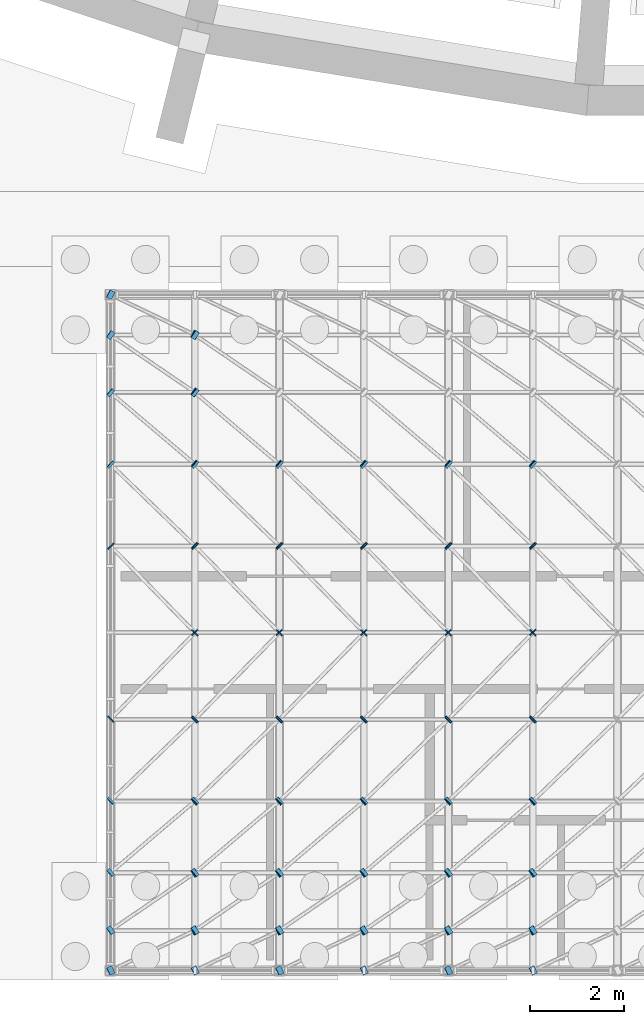
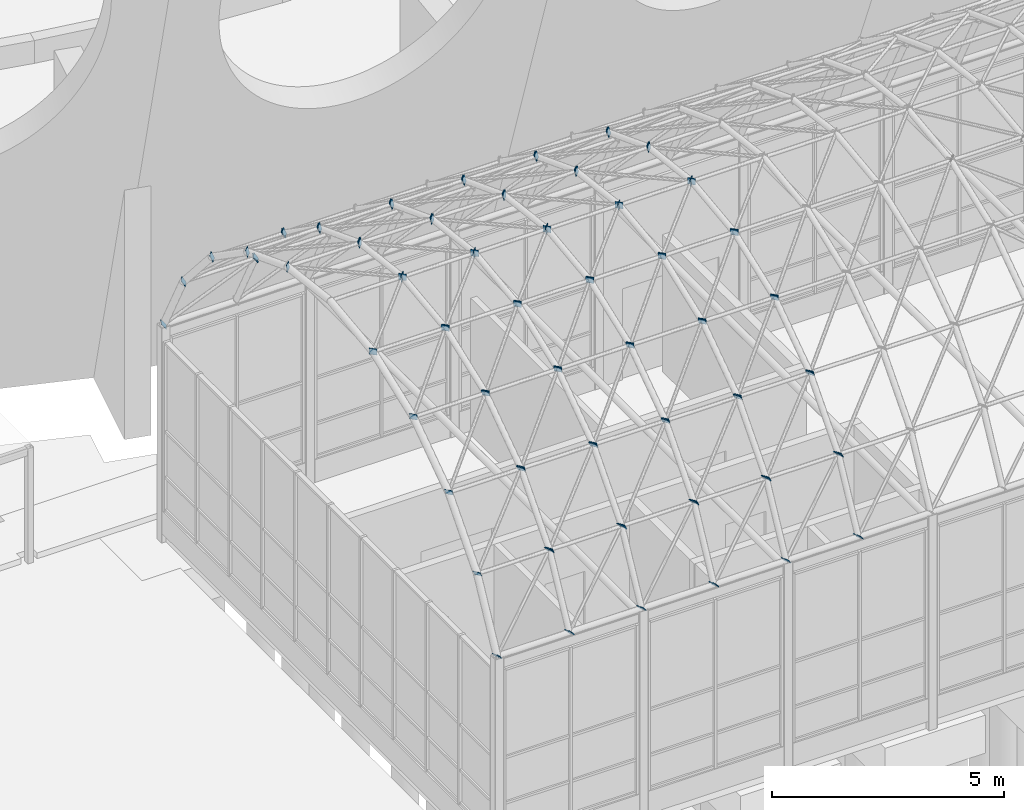
# One storey, part 100 of 116: 89 discrete accessories.
"""IFC4 building model written with IfcOpenShell, lengths in metres."""

from ifc_helpers import new_model, si_unit, direction, frame, origin, origin_2d, place, context, subcontext, project, spatial, rectangle, extrude, material, material_profile, profile_set, type_object, element, save


model = new_model("IFC4")

# Units and contexts
model_context = context("Model", 3, precision=1e-05, world=origin(), true_north=direction((0.0, 1.0)))
body_context = subcontext(model_context, "Body", "Model", "MODEL_VIEW")
ifc_project = project(units=[si_unit("LENGTHUNIT", "METRE"), si_unit("AREAUNIT", "SQUARE_METRE"), si_unit("VOLUMEUNIT", "CUBIC_METRE"), si_unit("PLANEANGLEUNIT", "RADIAN"), si_unit("MASSUNIT", "GRAM", prefix="KILO")], contexts=[model_context])

# Site, building, storey
site_placement = place(None, origin())
site = spatial("IfcSite", under=ifc_project, at=site_placement, CompositionType="ELEMENT")
building_placement = place(site_placement, origin())
building = spatial("IfcBuilding", under=site, at=building_placement, Name="Ardhachandra Cancer Care Centre", CompositionType="ELEMENT")
storey_placement = place(building_placement, origin())
storey = spatial("IfcBuildingStorey", under=building, at=storey_placement, Name="L00", CompositionType="ELEMENT", Elevation=0.0)

# Discrete accessories
ifc_material = material(Name="Steel E250 (IS 2062)", Category="steel")
ifc_material_profile = material_profile(ifc_material, rectangle(XDim=0.176025390625, YDim=0.176025390625, at=origin_2d()), Name="PL 176x176x12")
ifc_profile_set = profile_set([ifc_material_profile], Name="Steel E250 (IS 2062)")
discrete_accessory_type = type_object("IfcDiscreteAccessoryType", Name="Diagonal end plate 176 x 176 x 12", PredefinedType="BRACKET", material=ifc_profile_set)
for number, where, z_axis, x_axis, name in (
    (1, (63.60009765625, 7.199951171875, 5.39990234375), (0.688874763702, 0.324176359389, 0.648352718778), (-0.42579703633, 0.904818702201, 0.0), "Diagonal end plate Pavilion shell diagonal 00-00 1"),
    (2, (65.39990234375, 8.056396484375, 7.05224609375), (-0.697959218879, -0.328451397119, -0.636374581919), (0.42579703633, -0.904818702201, 0.0), "Diagonal end plate Pavilion shell diagonal 00-00 2"),
):
    element("IfcDiscreteAccessory", number, at=place(storey_placement, frame(where, z_axis=z_axis, x_axis=x_axis)), inside=storey, type_object=discrete_accessory_type, Name=name, PredefinedType="BRACKET", context=body_context, shape_type="SweptSolid", body=[
        extrude(rectangle(XDim=0.176025390625, YDim=0.176025390625, at=origin_2d()), origin(), (0.0, 0.0, 1.0), 0.011962890625),
    ])
discrete_accessory_1_placement = place(storey_placement, frame((63.60009765625, 8.056396484375, 7.05224609375), z_axis=(0.685366874707, 0.483788382146, 0.544261929915), x_axis=(-0.576683197599, 0.816967863265, 0.0)))
element("IfcDiscreteAccessory", 3, at=discrete_accessory_1_placement, inside=storey, type_object=discrete_accessory_type, Name="Diagonal end plate Pavilion shell diagonal 00-01 1", PredefinedType="BRACKET", context=body_context, shape_type="SweptSolid", body=[
    extrude(rectangle(XDim=0.176025390625, YDim=0.176025390625, at=origin_2d()), origin(), (0.0, 0.0, 1.0), 0.01220703125),
])
for number, where, z_axis, x_axis, name in (
    (4, (65.39990234375, 9.284912109375, 8.4501953125), (-0.692006675861, -0.468122163083, -0.549534713184), (0.560309367704, -0.828283413128, 0.0), "Diagonal end plate Pavilion shell diagonal 00-01 2"),
    (5, (63.60009765625, 9.284912109375, 8.4501953125), (0.694456264675, 0.592330343399, 0.408503685103), (-0.648946606083, 0.760833951959, 0.0), "Diagonal end plate Pavilion shell diagonal 00-02 1"),
    (6, (65.39990234375, 10.813720703125, 9.51171875), (-0.694456264675, -0.592330343399, -0.408503685103), (0.648946606083, -0.760833951959, 0.0), "Diagonal end plate Pavilion shell diagonal 00-02 2"),
    (7, (63.60009765625, 10.813720703125, 9.51171875), (0.692006675861, 0.671653538336, 0.264590787829), (-0.696475377169, 0.717580691628, 0.0), "Diagonal end plate Pavilion shell diagonal 00-03 1"),
    (8, (65.39990234375, 12.552734375, 10.174560546875), (-0.695618049284, -0.675158694893, -0.245512252688), (0.696475377169, -0.717580691628, 0.0), "Diagonal end plate Pavilion shell diagonal 00-03 2"),
    (9, (63.60009765625, 12.552734375, 10.174560546875), (0.693156189404, 0.713543136151, 0.101934733736), (-0.717279380859, 0.696785684263, 0.0), "Diagonal end plate Pavilion shell diagonal 00-04 1"),
    (10, (65.39990234375, 14.39990234375, 10.39990234375), (-0.694456264675, -0.71488144893, -0.081700737021), (0.717279380859, -0.696785684263, 0.0), "Diagonal end plate Pavilion shell diagonal 00-04 2"),
    (11, (65.39990234375, 14.39990234375, 10.39990234375), (-0.694456264675, 0.71488144893, -0.081700737021), (-0.717279380859, -0.696785684263, 0.0), "Diagonal end plate Pavilion shell diagonal 01-05 1"),
    (12, (63.60009765625, 16.247314453125, 10.174560546875), (0.693156189404, -0.713543136151, 0.101934733736), (0.717279380859, 0.696785684263, 0.0), "Diagonal end plate Pavilion shell diagonal 01-05 2"),
    (13, (65.39990234375, 16.247314453125, 10.174560546875), (-0.695618049284, 0.675158694893, -0.245512252688), (-0.696475377169, -0.717580691628, 0.0), "Diagonal end plate Pavilion shell diagonal 01-06 1"),
    (14, (63.60009765625, 17.986328125, 9.51171875), (0.692006675861, -0.671653538336, 0.264590787829), (0.696475377169, 0.717580691628, 0.0), "Diagonal end plate Pavilion shell diagonal 01-06 2"),
    (15, (65.39990234375, 17.986328125, 9.51171875), (-0.694456264675, 0.592330343399, -0.408503685103), (-0.648946606083, -0.760833951959, 0.0), "Diagonal end plate Pavilion shell diagonal 01-07 1"),
    (16, (63.60009765625, 19.514892578125, 8.4501953125), (0.694456264675, -0.592330343399, 0.408503685103), (0.648946606083, 0.760833951959, 0.0), "Diagonal end plate Pavilion shell diagonal 01-07 2"),
):
    element("IfcDiscreteAccessory", number, at=place(storey_placement, frame(where, z_axis=z_axis, x_axis=x_axis)), inside=storey, type_object=discrete_accessory_type, Name=name, PredefinedType="BRACKET", context=body_context, shape_type="SweptSolid", body=[
        extrude(rectangle(XDim=0.176025390625, YDim=0.176025390625, at=origin_2d()), origin(), (0.0, 0.0, 1.0), 0.011962890625),
    ])
for number, where, z_axis, x_axis, name in (
    (17, (65.39990234375, 19.514892578125, 8.4501953125), (-0.685366874707, 0.483788382146, -0.544261929915), (-0.576683197599, -0.816967863265, 0.0), "Diagonal end plate Pavilion shell diagonal 01-08 1"),
    (18, (63.60009765625, 20.74365234375, 7.05224609375), (0.685366874707, -0.483788382146, 0.544261929915), (0.576683197599, 0.816967863265, 0.0), "Diagonal end plate Pavilion shell diagonal 01-08 2"),
):
    element("IfcDiscreteAccessory", number, at=place(storey_placement, frame(where, z_axis=z_axis, x_axis=x_axis)), inside=storey, type_object=discrete_accessory_type, Name=name, PredefinedType="BRACKET", context=body_context, shape_type="SweptSolid", body=[
        extrude(rectangle(XDim=0.176025390625, YDim=0.176025390625, at=origin_2d()), origin(), (0.0, 0.0, 1.0), 0.01220703125),
    ])
discrete_accessory_2_placement = place(storey_placement, frame((65.39990234375, 20.74365234375, 7.05224609375), z_axis=(-0.697959218879, 0.328451397119, -0.636374581919), x_axis=(-0.42579703633, -0.904818702201, 0.0)))
element("IfcDiscreteAccessory", 19, at=discrete_accessory_2_placement, inside=storey, type_object=discrete_accessory_type, Name="Diagonal end plate Pavilion shell diagonal 01-09 1", PredefinedType="BRACKET", context=body_context, shape_type="SweptSolid", body=[
    extrude(rectangle(XDim=0.176025390625, YDim=0.176025390625, at=origin_2d()), origin(), (0.0, 0.0, 1.0), 0.011962890625),
])
for number, where, z_axis, x_axis, name in (
    (20, (63.60009765625, 21.60009765625, 5.39990234375), (0.684255618403, -0.342127809202, 0.644005287909), (0.4472135955, 0.894427191, 0.0), "Diagonal end plate Pavilion shell diagonal 01-09 2"),
    (21, (65.39990234375, 7.199951171875, 5.39990234375), (0.699301048253, 0.319680479201, 0.639360958403), (-0.415759760268, 0.909474475586, 0.0), "Diagonal end plate Pavilion shell diagonal 01-00 1"),
):
    element("IfcDiscreteAccessory", number, at=place(storey_placement, frame(where, z_axis=z_axis, x_axis=x_axis)), inside=storey, type_object=discrete_accessory_type, Name=name, PredefinedType="BRACKET", context=body_context, shape_type="SweptSolid", body=[
        extrude(rectangle(XDim=0.176025390625, YDim=0.176025390625, at=origin_2d()), origin(), (0.0, 0.0, 1.0), 0.01220703125),
    ])
discrete_accessory_3_placement = place(storey_placement, frame((67.199951171875, 8.056396484375, 7.05224609375), z_axis=(-0.697959218879, -0.328451397119, -0.636374581919), x_axis=(0.42579703633, -0.904818702201, 0.0)))
element("IfcDiscreteAccessory", 22, at=discrete_accessory_3_placement, inside=storey, type_object=discrete_accessory_type, Name="Diagonal end plate Pavilion shell diagonal 01-00 2", PredefinedType="BRACKET", context=body_context, shape_type="SweptSolid", body=[
    extrude(rectangle(XDim=0.176025390625, YDim=0.176025390625, at=origin_2d()), origin(), (0.0, 0.0, 1.0), 0.011962890625),
])
discrete_accessory_4_placement = place(storey_placement, frame((65.39990234375, 8.056396484375, 7.05224609375), z_axis=(0.695837425927, 0.477145663493, 0.536788871429), x_axis=(-0.565528355552, 0.824728851846, 0.0)))
element("IfcDiscreteAccessory", 23, at=discrete_accessory_4_placement, inside=storey, type_object=discrete_accessory_type, Name="Diagonal end plate Pavilion shell diagonal 01-01 1", PredefinedType="BRACKET", context=body_context, shape_type="SweptSolid", body=[
    extrude(rectangle(XDim=0.176025390625, YDim=0.176025390625, at=origin_2d()), origin(), (0.0, 0.0, 1.0), 0.01220703125),
])
discrete_accessory_5_placement = place(storey_placement, frame((67.199951171875, 9.284912109375, 8.4501953125), z_axis=(-0.692006675861, -0.468122163083, -0.549534713184), x_axis=(0.560309367704, -0.828283413128, 0.0)))
element("IfcDiscreteAccessory", 24, at=discrete_accessory_5_placement, inside=storey, type_object=discrete_accessory_type, Name="Diagonal end plate Pavilion shell diagonal 01-01 2", PredefinedType="BRACKET", context=body_context, shape_type="SweptSolid", body=[
    extrude(rectangle(XDim=0.176025390625, YDim=0.176025390625, at=origin_2d()), origin(), (0.0, 0.0, 1.0), 0.011962890625),
])
discrete_accessory_6_placement = place(storey_placement, frame((65.39990234375, 9.284912109375, 8.4501953125), z_axis=(0.704809108885, 0.583984690219, 0.40274806222), x_axis=(-0.63801786475, 0.770021560906, 0.0)))
element("IfcDiscreteAccessory", 25, at=discrete_accessory_6_placement, inside=storey, type_object=discrete_accessory_type, Name="Diagonal end plate Pavilion shell diagonal 01-02 1", PredefinedType="BRACKET", context=body_context, shape_type="SweptSolid", body=[
    extrude(rectangle(XDim=0.176025390625, YDim=0.176025390625, at=origin_2d()), origin(), (0.0, 0.0, 1.0), 0.01220703125),
])
discrete_accessory_7_placement = place(storey_placement, frame((67.199951171875, 10.813720703125, 9.51171875), z_axis=(-0.694456264675, -0.592330343399, -0.408503685103), x_axis=(0.648946606083, -0.760833951959, 0.0)))
element("IfcDiscreteAccessory", 26, at=discrete_accessory_7_placement, inside=storey, type_object=discrete_accessory_type, Name="Diagonal end plate Pavilion shell diagonal 01-02 2", PredefinedType="BRACKET", context=body_context, shape_type="SweptSolid", body=[
    extrude(rectangle(XDim=0.176025390625, YDim=0.176025390625, at=origin_2d()), origin(), (0.0, 0.0, 1.0), 0.011962890625),
])
discrete_accessory_8_placement = place(storey_placement, frame((65.39990234375, 10.813720703125, 9.51171875), z_axis=(0.702392207194, 0.66225550964, 0.260888534101), x_axis=(-0.686012868689, 0.727589406185, 0.0)))
element("IfcDiscreteAccessory", 27, at=discrete_accessory_8_placement, inside=storey, type_object=discrete_accessory_type, Name="Diagonal end plate Pavilion shell diagonal 01-03 1", PredefinedType="BRACKET", context=body_context, shape_type="SweptSolid", body=[
    extrude(rectangle(XDim=0.176025390625, YDim=0.176025390625, at=origin_2d()), origin(), (0.0, 0.0, 1.0), 0.01220703125),
])
discrete_accessory_9_placement = place(storey_placement, frame((67.199951171875, 12.552734375, 10.174560546875), z_axis=(-0.695618049284, -0.675158694893, -0.245512252688), x_axis=(0.696475377169, -0.717580691628, 0.0)))
element("IfcDiscreteAccessory", 28, at=discrete_accessory_9_placement, inside=storey, type_object=discrete_accessory_type, Name="Diagonal end plate Pavilion shell diagonal 01-03 2", PredefinedType="BRACKET", context=body_context, shape_type="SweptSolid", body=[
    extrude(rectangle(XDim=0.176025390625, YDim=0.176025390625, at=origin_2d()), origin(), (0.0, 0.0, 1.0), 0.011962890625),
])
discrete_accessory_10_placement = place(storey_placement, frame((65.39990234375, 12.552734375, 10.174560546875), z_axis=(0.703526470681, 0.703526470681, 0.100503781526), x_axis=(-0.707106781187, 0.707106781187, 0.0)))
element("IfcDiscreteAccessory", 29, at=discrete_accessory_10_placement, inside=storey, type_object=discrete_accessory_type, Name="Diagonal end plate Pavilion shell diagonal 01-04 1", PredefinedType="BRACKET", context=body_context, shape_type="SweptSolid", body=[
    extrude(rectangle(XDim=0.176025390625, YDim=0.176025390625, at=origin_2d()), origin(), (0.0, 0.0, 1.0), 0.01220703125),
])
for number, where, z_axis, x_axis, name in (
    (30, (67.199951171875, 14.39990234375, 10.39990234375), (-0.694456264675, -0.71488144893, -0.081700737021), (0.717279380859, -0.696785684263, 0.0), "Diagonal end plate Pavilion shell diagonal 01-04 2"),
    (31, (67.199951171875, 14.39990234375, 10.39990234375), (-0.694456264675, 0.71488144893, -0.081700737021), (-0.717279380859, -0.696785684263, 0.0), "Diagonal end plate Pavilion shell diagonal 02-05 1"),
):
    element("IfcDiscreteAccessory", number, at=place(storey_placement, frame(where, z_axis=z_axis, x_axis=x_axis)), inside=storey, type_object=discrete_accessory_type, Name=name, PredefinedType="BRACKET", context=body_context, shape_type="SweptSolid", body=[
        extrude(rectangle(XDim=0.176025390625, YDim=0.176025390625, at=origin_2d()), origin(), (0.0, 0.0, 1.0), 0.011962890625),
    ])
discrete_accessory_11_placement = place(storey_placement, frame((65.39990234375, 16.247314453125, 10.174560546875), z_axis=(0.703526470681, -0.703526470681, 0.100503781526), x_axis=(0.707106781187, 0.707106781187, 0.0)))
element("IfcDiscreteAccessory", 32, at=discrete_accessory_11_placement, inside=storey, type_object=discrete_accessory_type, Name="Diagonal end plate Pavilion shell diagonal 02-05 2", PredefinedType="BRACKET", context=body_context, shape_type="SweptSolid", body=[
    extrude(rectangle(XDim=0.176025390625, YDim=0.176025390625, at=origin_2d()), origin(), (0.0, 0.0, 1.0), 0.01220703125),
])
discrete_accessory_12_placement = place(storey_placement, frame((67.199951171875, 16.247314453125, 10.174560546875), z_axis=(-0.695618049284, 0.675158694893, -0.245512252688), x_axis=(-0.696475377169, -0.717580691628, 0.0)))
element("IfcDiscreteAccessory", 33, at=discrete_accessory_12_placement, inside=storey, type_object=discrete_accessory_type, Name="Diagonal end plate Pavilion shell diagonal 02-06 1", PredefinedType="BRACKET", context=body_context, shape_type="SweptSolid", body=[
    extrude(rectangle(XDim=0.176025390625, YDim=0.176025390625, at=origin_2d()), origin(), (0.0, 0.0, 1.0), 0.011962890625),
])
discrete_accessory_13_placement = place(storey_placement, frame((65.39990234375, 17.986328125, 9.51171875), z_axis=(0.702392207194, -0.66225550964, 0.260888534101), x_axis=(0.686012868689, 0.727589406185, 0.0)))
element("IfcDiscreteAccessory", 34, at=discrete_accessory_13_placement, inside=storey, type_object=discrete_accessory_type, Name="Diagonal end plate Pavilion shell diagonal 02-06 2", PredefinedType="BRACKET", context=body_context, shape_type="SweptSolid", body=[
    extrude(rectangle(XDim=0.176025390625, YDim=0.176025390625, at=origin_2d()), origin(), (0.0, 0.0, 1.0), 0.01220703125),
])
discrete_accessory_14_placement = place(storey_placement, frame((67.199951171875, 17.986328125, 9.51171875), z_axis=(-0.694456264675, 0.592330343399, -0.408503685103), x_axis=(-0.648946606083, -0.760833951959, 0.0)))
element("IfcDiscreteAccessory", 35, at=discrete_accessory_14_placement, inside=storey, type_object=discrete_accessory_type, Name="Diagonal end plate Pavilion shell diagonal 02-07 1", PredefinedType="BRACKET", context=body_context, shape_type="SweptSolid", body=[
    extrude(rectangle(XDim=0.176025390625, YDim=0.176025390625, at=origin_2d()), origin(), (0.0, 0.0, 1.0), 0.011962890625),
])
for number, where, z_axis, x_axis, name in (
    (36, (65.39990234375, 19.514892578125, 8.4501953125), (0.704809108885, -0.583984690219, 0.40274806222), (0.63801786475, 0.770021560906, 0.0), "Diagonal end plate Pavilion shell diagonal 02-07 2"),
    (37, (65.39990234375, 20.74365234375, 7.05224609375), (0.695837425927, -0.477145663493, 0.536788871429), (0.565528355552, 0.824728851846, 0.0), "Diagonal end plate Pavilion shell diagonal 02-08 2"),
):
    element("IfcDiscreteAccessory", number, at=place(storey_placement, frame(where, z_axis=z_axis, x_axis=x_axis)), inside=storey, type_object=discrete_accessory_type, Name=name, PredefinedType="BRACKET", context=body_context, shape_type="SweptSolid", body=[
        extrude(rectangle(XDim=0.176025390625, YDim=0.176025390625, at=origin_2d()), origin(), (0.0, 0.0, 1.0), 0.01220703125),
    ])
for number, where, z_axis, x_axis, name in (
    (38, (67.199951171875, 7.199951171875, 5.39990234375), (0.688874763702, 0.324176359389, 0.648352718778), (-0.42579703633, 0.904818702201, 0.0), "Diagonal end plate Pavilion shell diagonal 02-00 1"),
    (39, (69.0, 8.056396484375, 7.05224609375), (-0.697959218879, -0.328451397119, -0.636374581919), (0.42579703633, -0.904818702201, 0.0), "Diagonal end plate Pavilion shell diagonal 02-00 2"),
):
    element("IfcDiscreteAccessory", number, at=place(storey_placement, frame(where, z_axis=z_axis, x_axis=x_axis)), inside=storey, type_object=discrete_accessory_type, Name=name, PredefinedType="BRACKET", context=body_context, shape_type="SweptSolid", body=[
        extrude(rectangle(XDim=0.176025390625, YDim=0.176025390625, at=origin_2d()), origin(), (0.0, 0.0, 1.0), 0.011962890625),
    ])
discrete_accessory_15_placement = place(storey_placement, frame((67.199951171875, 8.056396484375, 7.05224609375), z_axis=(0.685366874707, 0.483788382146, 0.544261929915), x_axis=(-0.576683197599, 0.816967863265, 0.0)))
element("IfcDiscreteAccessory", 40, at=discrete_accessory_15_placement, inside=storey, type_object=discrete_accessory_type, Name="Diagonal end plate Pavilion shell diagonal 02-01 1", PredefinedType="BRACKET", context=body_context, shape_type="SweptSolid", body=[
    extrude(rectangle(XDim=0.176025390625, YDim=0.176025390625, at=origin_2d()), origin(), (0.0, 0.0, 1.0), 0.01220703125),
])
for number, where, z_axis, x_axis, name in (
    (41, (69.0, 9.284912109375, 8.4501953125), (-0.692006675861, -0.468122163083, -0.549534713184), (0.560309367704, -0.828283413128, 0.0), "Diagonal end plate Pavilion shell diagonal 02-01 2"),
    (42, (67.199951171875, 9.284912109375, 8.4501953125), (0.694456264675, 0.592330343399, 0.408503685103), (-0.648946606083, 0.760833951959, 0.0), "Diagonal end plate Pavilion shell diagonal 02-02 1"),
    (43, (69.0, 10.813720703125, 9.51171875), (-0.694456264675, -0.592330343399, -0.408503685103), (0.648946606083, -0.760833951959, 0.0), "Diagonal end plate Pavilion shell diagonal 02-02 2"),
    (44, (67.199951171875, 10.813720703125, 9.51171875), (0.692006675861, 0.671653538336, 0.264590787829), (-0.696475377169, 0.717580691628, 0.0), "Diagonal end plate Pavilion shell diagonal 02-03 1"),
    (45, (69.0, 12.552734375, 10.174560546875), (-0.695618049284, -0.675158694893, -0.245512252688), (0.696475377169, -0.717580691628, 0.0), "Diagonal end plate Pavilion shell diagonal 02-03 2"),
    (46, (67.199951171875, 12.552734375, 10.174560546875), (0.693156189404, 0.713543136151, 0.101934733736), (-0.717279380859, 0.696785684263, 0.0), "Diagonal end plate Pavilion shell diagonal 02-04 1"),
    (47, (69.0, 14.39990234375, 10.39990234375), (-0.694456264675, -0.71488144893, -0.081700737021), (0.717279380859, -0.696785684263, 0.0), "Diagonal end plate Pavilion shell diagonal 02-04 2"),
    (48, (69.0, 14.39990234375, 10.39990234375), (-0.694456264675, 0.71488144893, -0.081700737021), (-0.717279380859, -0.696785684263, 0.0), "Diagonal end plate Pavilion shell diagonal 03-05 1"),
    (49, (67.199951171875, 16.247314453125, 10.174560546875), (0.693156189404, -0.713543136151, 0.101934733736), (0.717279380859, 0.696785684263, 0.0), "Diagonal end plate Pavilion shell diagonal 03-05 2"),
    (50, (69.0, 16.247314453125, 10.174560546875), (-0.695618049284, 0.675158694893, -0.245512252688), (-0.696475377169, -0.717580691628, 0.0), "Diagonal end plate Pavilion shell diagonal 03-06 1"),
    (51, (67.199951171875, 17.986328125, 9.51171875), (0.692006675861, -0.671653538336, 0.264590787829), (0.696475377169, 0.717580691628, 0.0), "Diagonal end plate Pavilion shell diagonal 03-06 2"),
    (52, (69.0, 17.986328125, 9.51171875), (-0.694456264675, 0.592330343399, -0.408503685103), (-0.648946606083, -0.760833951959, 0.0), "Diagonal end plate Pavilion shell diagonal 03-07 1"),
    (53, (69.0, 7.199951171875, 5.39990234375), (0.688874763702, 0.324176359389, 0.648352718778), (-0.42579703633, 0.904818702201, 0.0), "Diagonal end plate Pavilion shell diagonal 03-00 1"),
    (54, (70.800048828125, 8.056396484375, 7.05224609375), (-0.697959218879, -0.328451397119, -0.636374581919), (0.42579703633, -0.904818702201, 0.0), "Diagonal end plate Pavilion shell diagonal 03-00 2"),
):
    element("IfcDiscreteAccessory", number, at=place(storey_placement, frame(where, z_axis=z_axis, x_axis=x_axis)), inside=storey, type_object=discrete_accessory_type, Name=name, PredefinedType="BRACKET", context=body_context, shape_type="SweptSolid", body=[
        extrude(rectangle(XDim=0.176025390625, YDim=0.176025390625, at=origin_2d()), origin(), (0.0, 0.0, 1.0), 0.011962890625),
    ])
discrete_accessory_16_placement = place(storey_placement, frame((69.0, 8.056396484375, 7.05224609375), z_axis=(0.685366874707, 0.483788382146, 0.544261929915), x_axis=(-0.576683197599, 0.816967863265, 0.0)))
element("IfcDiscreteAccessory", 55, at=discrete_accessory_16_placement, inside=storey, type_object=discrete_accessory_type, Name="Diagonal end plate Pavilion shell diagonal 03-01 1", PredefinedType="BRACKET", context=body_context, shape_type="SweptSolid", body=[
    extrude(rectangle(XDim=0.176025390625, YDim=0.176025390625, at=origin_2d()), origin(), (0.0, 0.0, 1.0), 0.01220703125),
])
for number, where, z_axis, x_axis, name in (
    (56, (70.800048828125, 9.284912109375, 8.4501953125), (-0.692006675861, -0.468122163083, -0.549534713184), (0.560309367704, -0.828283413128, 0.0), "Diagonal end plate Pavilion shell diagonal 03-01 2"),
    (57, (69.0, 9.284912109375, 8.4501953125), (0.694456264675, 0.592330343399, 0.408503685103), (-0.648946606083, 0.760833951959, 0.0), "Diagonal end plate Pavilion shell diagonal 03-02 1"),
    (58, (70.800048828125, 10.813720703125, 9.51171875), (-0.694456264675, -0.592330343399, -0.408503685103), (0.648946606083, -0.760833951959, 0.0), "Diagonal end plate Pavilion shell diagonal 03-02 2"),
    (59, (69.0, 10.813720703125, 9.51171875), (0.692006675861, 0.671653538336, 0.264590787829), (-0.696475377169, 0.717580691628, 0.0), "Diagonal end plate Pavilion shell diagonal 03-03 1"),
    (60, (70.800048828125, 12.552734375, 10.174560546875), (-0.695618049284, -0.675158694893, -0.245512252688), (0.696475377169, -0.717580691628, 0.0), "Diagonal end plate Pavilion shell diagonal 03-03 2"),
    (61, (69.0, 12.552734375, 10.174560546875), (0.693156189404, 0.713543136151, 0.101934733736), (-0.717279380859, 0.696785684263, 0.0), "Diagonal end plate Pavilion shell diagonal 03-04 1"),
    (62, (70.800048828125, 14.39990234375, 10.39990234375), (-0.694456264675, -0.71488144893, -0.081700737021), (0.717279380859, -0.696785684263, 0.0), "Diagonal end plate Pavilion shell diagonal 03-04 2"),
    (63, (70.800048828125, 14.39990234375, 10.39990234375), (-0.694456264675, 0.71488144893, -0.081700737021), (-0.717279380859, -0.696785684263, 0.0), "Diagonal end plate Pavilion shell diagonal 04-05 1"),
    (64, (69.0, 16.247314453125, 10.174560546875), (0.693156189404, -0.713543136151, 0.101934733736), (0.717279380859, 0.696785684263, 0.0), "Diagonal end plate Pavilion shell diagonal 04-05 2"),
    (65, (70.800048828125, 16.247314453125, 10.174560546875), (-0.695618049284, 0.675158694893, -0.245512252688), (-0.696475377169, -0.717580691628, 0.0), "Diagonal end plate Pavilion shell diagonal 04-06 1"),
    (66, (69.0, 17.986328125, 9.51171875), (0.692006675861, -0.671653538336, 0.264590787829), (0.696475377169, 0.717580691628, 0.0), "Diagonal end plate Pavilion shell diagonal 04-06 2"),
    (67, (70.800048828125, 17.986328125, 9.51171875), (-0.694456264675, 0.592330343399, -0.408503685103), (-0.648946606083, -0.760833951959, 0.0), "Diagonal end plate Pavilion shell diagonal 04-07 1"),
    (68, (70.800048828125, 7.199951171875, 5.39990234375), (0.688874763702, 0.324176359389, 0.648352718778), (-0.42579703633, 0.904818702201, 0.0), "Diagonal end plate Pavilion shell diagonal 04-00 1"),
    (69, (72.60009765625, 8.056396484375, 7.05224609375), (-0.708264076202, -0.323777863407, -0.62731961035), (0.415759760268, -0.909474475586, 0.0), "Diagonal end plate Pavilion shell diagonal 04-00 2"),
):
    element("IfcDiscreteAccessory", number, at=place(storey_placement, frame(where, z_axis=z_axis, x_axis=x_axis)), inside=storey, type_object=discrete_accessory_type, Name=name, PredefinedType="BRACKET", context=body_context, shape_type="SweptSolid", body=[
        extrude(rectangle(XDim=0.176025390625, YDim=0.176025390625, at=origin_2d()), origin(), (0.0, 0.0, 1.0), 0.011962890625),
    ])
for number, where, z_axis, x_axis, name in (
    (70, (70.800048828125, 8.056396484375, 7.05224609375), (0.685366874707, 0.483788382146, 0.544261929915), (-0.576683197599, 0.816967863265, 0.0), "Diagonal end plate Pavilion shell diagonal 04-01 1"),
    (71, (72.60009765625, 9.284912109375, 8.4501953125), (-0.702392207194, -0.46157202187, -0.541845416978), (0.549177886661, -0.835705479701, 0.0), "Diagonal end plate Pavilion shell diagonal 04-01 2"),
):
    element("IfcDiscreteAccessory", number, at=place(storey_placement, frame(where, z_axis=z_axis, x_axis=x_axis)), inside=storey, type_object=discrete_accessory_type, Name=name, PredefinedType="BRACKET", context=body_context, shape_type="SweptSolid", body=[
        extrude(rectangle(XDim=0.176025390625, YDim=0.176025390625, at=origin_2d()), origin(), (0.0, 0.0, 1.0), 0.01220703125),
    ])
discrete_accessory_17_placement = place(storey_placement, frame((70.800048828125, 9.284912109375, 8.4501953125), z_axis=(0.694456264675, 0.592330343399, 0.408503685103), x_axis=(-0.648946606083, 0.760833951959, 0.0)))
element("IfcDiscreteAccessory", 72, at=discrete_accessory_17_placement, inside=storey, type_object=discrete_accessory_type, Name="Diagonal end plate Pavilion shell diagonal 04-02 1", PredefinedType="BRACKET", context=body_context, shape_type="SweptSolid", body=[
    extrude(rectangle(XDim=0.176025390625, YDim=0.176025390625, at=origin_2d()), origin(), (0.0, 0.0, 1.0), 0.011962890625),
])
discrete_accessory_18_placement = place(storey_placement, frame((72.60009765625, 10.813720703125, 9.51171875), z_axis=(-0.704809108885, -0.583984690219, -0.40274806222), x_axis=(0.63801786475, -0.770021560906, 0.0)))
element("IfcDiscreteAccessory", 73, at=discrete_accessory_18_placement, inside=storey, type_object=discrete_accessory_type, Name="Diagonal end plate Pavilion shell diagonal 04-02 2", PredefinedType="BRACKET", context=body_context, shape_type="SweptSolid", body=[
    extrude(rectangle(XDim=0.176025390625, YDim=0.176025390625, at=origin_2d()), origin(), (0.0, 0.0, 1.0), 0.01220703125),
])
discrete_accessory_19_placement = place(storey_placement, frame((70.800048828125, 10.813720703125, 9.51171875), z_axis=(0.692006675861, 0.671653538336, 0.264590787829), x_axis=(-0.696475377169, 0.717580691628, 0.0)))
element("IfcDiscreteAccessory", 74, at=discrete_accessory_19_placement, inside=storey, type_object=discrete_accessory_type, Name="Diagonal end plate Pavilion shell diagonal 04-03 1", PredefinedType="BRACKET", context=body_context, shape_type="SweptSolid", body=[
    extrude(rectangle(XDim=0.176025390625, YDim=0.176025390625, at=origin_2d()), origin(), (0.0, 0.0, 1.0), 0.011962890625),
])
discrete_accessory_20_placement = place(storey_placement, frame((72.60009765625, 12.552734375, 10.174560546875), z_axis=(-0.705955140713, -0.665614846958, -0.24204176253), x_axis=(0.686012868689, -0.727589406185, 0.0)))
element("IfcDiscreteAccessory", 75, at=discrete_accessory_20_placement, inside=storey, type_object=discrete_accessory_type, Name="Diagonal end plate Pavilion shell diagonal 04-03 2", PredefinedType="BRACKET", context=body_context, shape_type="SweptSolid", body=[
    extrude(rectangle(XDim=0.176025390625, YDim=0.176025390625, at=origin_2d()), origin(), (0.0, 0.0, 1.0), 0.01220703125),
])
discrete_accessory_21_placement = place(storey_placement, frame((70.800048828125, 12.552734375, 10.174560546875), z_axis=(0.693156189404, 0.713543136151, 0.101934733736), x_axis=(-0.717279380859, 0.696785684263, 0.0)))
element("IfcDiscreteAccessory", 76, at=discrete_accessory_21_placement, inside=storey, type_object=discrete_accessory_type, Name="Diagonal end plate Pavilion shell diagonal 04-04 1", PredefinedType="BRACKET", context=body_context, shape_type="SweptSolid", body=[
    extrude(rectangle(XDim=0.176025390625, YDim=0.176025390625, at=origin_2d()), origin(), (0.0, 0.0, 1.0), 0.011962890625),
])
for number, where, z_axis, x_axis, name in (
    (77, (72.60009765625, 14.39990234375, 10.39990234375), (-0.704809108885, -0.704809108885, -0.080549612444), (0.707106781187, -0.707106781187, 0.0), "Diagonal end plate Pavilion shell diagonal 04-04 2"),
    (78, (72.60009765625, 14.39990234375, 10.39990234375), (-0.704809108885, 0.704809108885, -0.080549612444), (-0.707106781187, -0.707106781187, 0.0), "Diagonal end plate Pavilion shell diagonal 05-05 1"),
):
    element("IfcDiscreteAccessory", number, at=place(storey_placement, frame(where, z_axis=z_axis, x_axis=x_axis)), inside=storey, type_object=discrete_accessory_type, Name=name, PredefinedType="BRACKET", context=body_context, shape_type="SweptSolid", body=[
        extrude(rectangle(XDim=0.176025390625, YDim=0.176025390625, at=origin_2d()), origin(), (0.0, 0.0, 1.0), 0.01220703125),
    ])
discrete_accessory_22_placement = place(storey_placement, frame((70.800048828125, 16.247314453125, 10.174560546875), z_axis=(0.693156189404, -0.713543136151, 0.101934733736), x_axis=(0.717279380859, 0.696785684263, 0.0)))
element("IfcDiscreteAccessory", 79, at=discrete_accessory_22_placement, inside=storey, type_object=discrete_accessory_type, Name="Diagonal end plate Pavilion shell diagonal 05-05 2", PredefinedType="BRACKET", context=body_context, shape_type="SweptSolid", body=[
    extrude(rectangle(XDim=0.176025390625, YDim=0.176025390625, at=origin_2d()), origin(), (0.0, 0.0, 1.0), 0.011962890625),
])
discrete_accessory_23_placement = place(storey_placement, frame((72.60009765625, 16.247314453125, 10.174560546875), z_axis=(-0.705955140713, 0.665614846958, -0.24204176253), x_axis=(-0.686012868689, -0.727589406185, 0.0)))
element("IfcDiscreteAccessory", 80, at=discrete_accessory_23_placement, inside=storey, type_object=discrete_accessory_type, Name="Diagonal end plate Pavilion shell diagonal 05-06 1", PredefinedType="BRACKET", context=body_context, shape_type="SweptSolid", body=[
    extrude(rectangle(XDim=0.176025390625, YDim=0.176025390625, at=origin_2d()), origin(), (0.0, 0.0, 1.0), 0.01220703125),
])
discrete_accessory_24_placement = place(storey_placement, frame((70.800048828125, 17.986328125, 9.51171875), z_axis=(0.692006675861, -0.671653538336, 0.264590787829), x_axis=(0.696475377169, 0.717580691628, 0.0)))
element("IfcDiscreteAccessory", 81, at=discrete_accessory_24_placement, inside=storey, type_object=discrete_accessory_type, Name="Diagonal end plate Pavilion shell diagonal 05-06 2", PredefinedType="BRACKET", context=body_context, shape_type="SweptSolid", body=[
    extrude(rectangle(XDim=0.176025390625, YDim=0.176025390625, at=origin_2d()), origin(), (0.0, 0.0, 1.0), 0.011962890625),
])
discrete_accessory_25_placement = place(storey_placement, frame((72.60009765625, 17.986328125, 9.51171875), z_axis=(-0.704809108885, 0.583984690219, -0.40274806222), x_axis=(-0.63801786475, -0.770021560906, 0.0)))
element("IfcDiscreteAccessory", 82, at=discrete_accessory_25_placement, inside=storey, type_object=discrete_accessory_type, Name="Diagonal end plate Pavilion shell diagonal 05-07 1", PredefinedType="BRACKET", context=body_context, shape_type="SweptSolid", body=[
    extrude(rectangle(XDim=0.176025390625, YDim=0.176025390625, at=origin_2d()), origin(), (0.0, 0.0, 1.0), 0.01220703125),
])
discrete_accessory_26_placement = place(storey_placement, frame((72.60009765625, 7.199951171875, 5.39990234375), z_axis=(0.688874763702, 0.324176359389, 0.648352718778), x_axis=(-0.42579703633, 0.904818702201, 0.0)))
element("IfcDiscreteAccessory", 83, at=discrete_accessory_26_placement, inside=storey, type_object=discrete_accessory_type, Name="Diagonal end plate Pavilion shell diagonal 05-00 1", PredefinedType="BRACKET", context=body_context, shape_type="SweptSolid", body=[
    extrude(rectangle(XDim=0.176025390625, YDim=0.176025390625, at=origin_2d()), origin(), (0.0, 0.0, 1.0), 0.011962890625),
])
discrete_accessory_27_placement = place(storey_placement, frame((72.60009765625, 8.056396484375, 7.05224609375), z_axis=(0.685366874707, 0.483788382146, 0.544261929915), x_axis=(-0.576683197599, 0.816967863265, 0.0)))
element("IfcDiscreteAccessory", 84, at=discrete_accessory_27_placement, inside=storey, type_object=discrete_accessory_type, Name="Diagonal end plate Pavilion shell diagonal 05-01 1", PredefinedType="BRACKET", context=body_context, shape_type="SweptSolid", body=[
    extrude(rectangle(XDim=0.176025390625, YDim=0.176025390625, at=origin_2d()), origin(), (0.0, 0.0, 1.0), 0.01220703125),
])
for number, where, z_axis, x_axis, name in (
    (85, (72.60009765625, 9.284912109375, 8.4501953125), (0.694456264675, 0.592330343399, 0.408503685103), (-0.648946606083, 0.760833951959, 0.0), "Diagonal end plate Pavilion shell diagonal 05-02 1"),
    (86, (72.60009765625, 10.813720703125, 9.51171875), (0.692006675861, 0.671653538336, 0.264590787829), (-0.696475377169, 0.717580691628, 0.0), "Diagonal end plate Pavilion shell diagonal 05-03 1"),
    (87, (72.60009765625, 12.552734375, 10.174560546875), (0.693156189404, 0.713543136151, 0.101934733736), (-0.717279380859, 0.696785684263, 0.0), "Diagonal end plate Pavilion shell diagonal 05-04 1"),
    (88, (72.60009765625, 16.247314453125, 10.174560546875), (0.693156189404, -0.713543136151, 0.101934733736), (0.717279380859, 0.696785684263, 0.0), "Diagonal end plate Pavilion shell diagonal 06-05 2"),
    (89, (72.60009765625, 17.986328125, 9.51171875), (0.692006675861, -0.671653538336, 0.264590787829), (0.696475377169, 0.717580691628, 0.0), "Diagonal end plate Pavilion shell diagonal 06-06 2"),
):
    element("IfcDiscreteAccessory", number, at=place(storey_placement, frame(where, z_axis=z_axis, x_axis=x_axis)), inside=storey, type_object=discrete_accessory_type, Name=name, PredefinedType="BRACKET", context=body_context, shape_type="SweptSolid", body=[
        extrude(rectangle(XDim=0.176025390625, YDim=0.176025390625, at=origin_2d()), origin(), (0.0, 0.0, 1.0), 0.011962890625),
    ])

save(model, "model.ifc")
